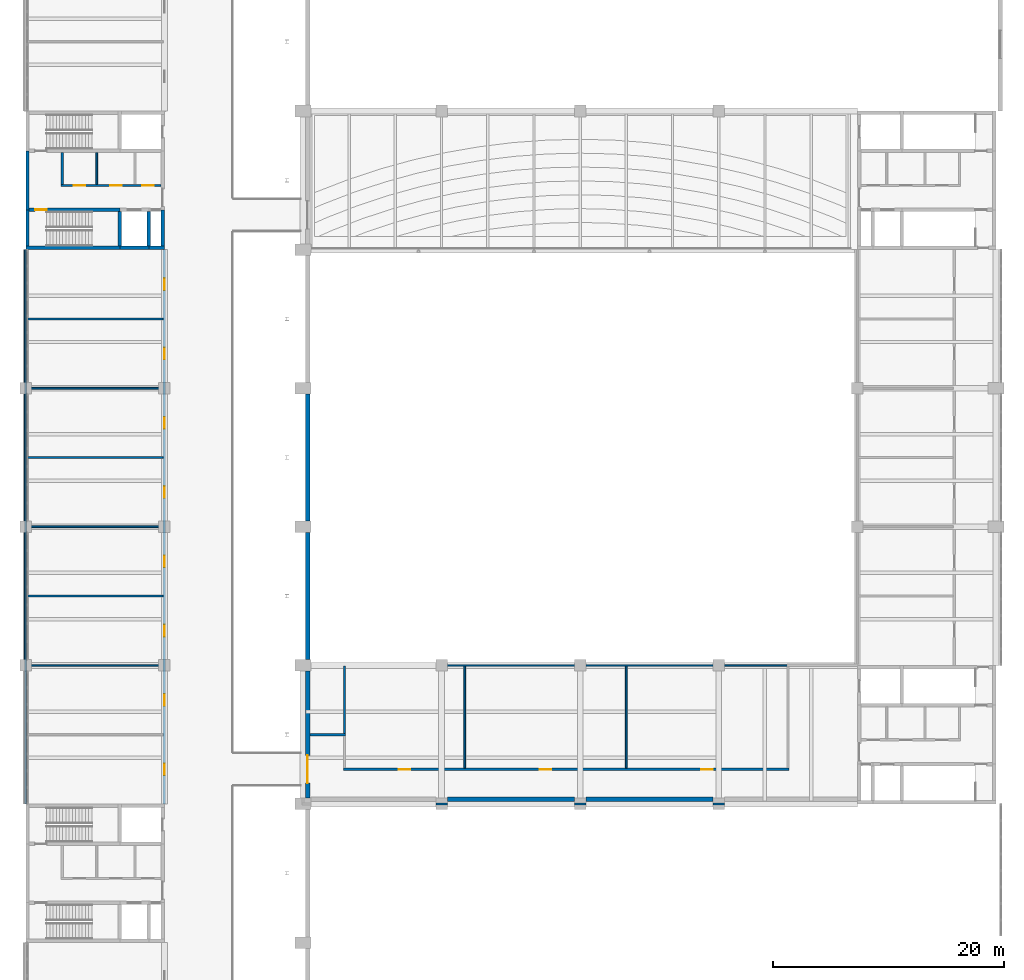
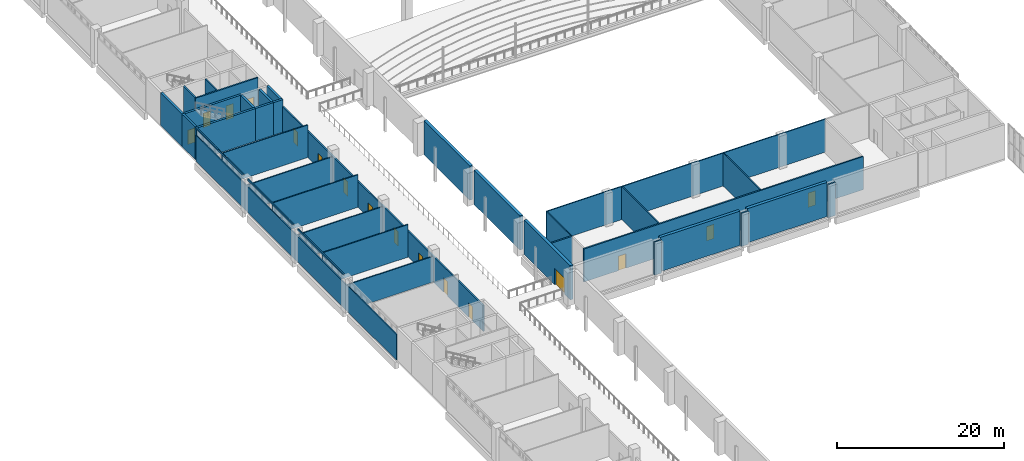
# One storey, part 54 of 69: 37 walls, 16 doors, 16 openings.
"""IFC4 building model written with IfcOpenShell, lengths in metres."""

from ifc_helpers import new_model, si_unit, direction, frame, frame_2d, origin, place, context, subcontext, project, spatial, rectangle, extrude, material, layer, layer_set, type_object, element, fill, save


model = new_model("IFC4")

# Units and contexts
model_context = context("Model", 3, precision=1e-05, world=origin(), true_north=direction((0.0, 1.0)))
body_context = subcontext(model_context, "Body", "Model", "MODEL_VIEW")
ifc_project = project(units=[si_unit("LENGTHUNIT", "METRE"), si_unit("AREAUNIT", "SQUARE_METRE"), si_unit("VOLUMEUNIT", "CUBIC_METRE"), si_unit("PLANEANGLEUNIT", "RADIAN"), si_unit("MASSUNIT", "GRAM", prefix="KILO")], contexts=[model_context])

# Site, building, storey
site_placement = place(None, origin())
site = spatial("IfcSite", under=ifc_project, at=site_placement, CompositionType="ELEMENT")
building_placement = place(site_placement, origin())
building = spatial("IfcBuilding", under=site, at=building_placement, Name="Lilac Gate Convention Centre", CompositionType="ELEMENT")
storey_placement = place(building_placement, frame((0.0, 0.0, 12.0)))
storey = spatial("IfcBuildingStorey", under=building, at=storey_placement, Name="L02", CompositionType="ELEMENT", Elevation=12.0)

# Wall, opening, door
ifc_material_1 = material(Name="Concrete C30", Category="concrete")
ifc_layer_1 = layer(ifc_material_1, 0.39990234375)
ifc_layer_set_1 = layer_set([ifc_layer_1], Name="Concrete C30")
wall_type_1 = type_object("IfcWallType", Name="Hall fire wall 400", PredefinedType="SOLIDWALL", material=ifc_layer_set_1)
wall_1_placement = place(storey_placement, frame((30.39990234375, 102.5, 0.0), z_axis=(0.0, 0.0, 1.0), x_axis=(0.0, 1.0, 0.0)))
wall_1 = element("IfcWall", 1, at=wall_1_placement, inside=storey, type_object=wall_type_1, Name="Fire wall galleria FW L02 7", PredefinedType="SOLIDWALL", context=body_context, shape_type="SweptSolid", body=[
    extrude(rectangle(XDim=11.0, YDim=0.39990234375, at=frame_2d((5.5, 0.0))), origin(), (0.0, 0.0, 1.0), 5.0),
])
opening_1_placement = place(wall_1_placement, frame((1.300048828125, 0.0, 0.0)))
opening_1 = element("IfcOpeningElement", 2, at=opening_1_placement, cuts=wall_1, Name="Opening L02-026", PredefinedType="OPENING", context=body_context, shape_type="SweptSolid", body=[
    extrude(rectangle(XDim=2.39990234375, YDim=2.39990234375, at=frame_2d((1.199951171875, 1.199951171875))), frame((0.0, 0.2099609375, 0.0), z_axis=(0.0, -1.0, 0.0), x_axis=(1.0, 0.0, 0.0)), (0.0, 0.0, 1.0), 0.419921875),
])
ifc_material_2 = material(Name="Steel Q235B", Category="steel")
door_type_1 = type_object("IfcDoorType", Name="Door 2400 x 2400 double leaf FD90", OperationType="DOUBLE_DOOR_SINGLE_SWING", PredefinedType="DOOR", material=ifc_material_2)
door_1_placement = place(opening_1_placement, origin())
door_1 = element("IfcDoor", 3, at=door_1_placement, inside=storey, type_object=door_type_1, Name="Service spine door L02-026", OperationType="DOUBLE_DOOR_SINGLE_SWING", OverallHeight=2.39990234375, OverallWidth=2.39990234375, PredefinedType="DOOR", context=body_context, shape_type="SweptSolid", body=[
    extrude(rectangle(XDim=2.39990234375, YDim=2.39990234375, at=frame_2d((1.199951171875, 1.199951171875))), frame((0.0, 0.02490234375, 0.0), z_axis=(0.0, -1.0, 0.0), x_axis=(1.0, 0.0, 0.0)), (0.0, 0.0, 1.0), 0.050048828125),
])
fill(opening_1, door_1)

# Walls
for number, where, z_axis, x_axis, name in (
    (4, (30.39990234375, 114.5, 0.0), (0.0, 0.0, 1.0), (0.0, 1.0, 0.0), "Fire wall galleria FW L02 8"),
    (5, (30.39990234375, 126.5, 0.0), (0.0, 0.0, 1.0), (0.0, 1.0, 0.0), "Fire wall galleria FW L02 9"),
    (6, (42.5, 102.39990234375, 0.0), (0.0, 0.0, 1.0), (1.0, 0.0, 0.0), "Fire wall exhibition hall HN L02 2"),
    (7, (54.5, 102.39990234375, 0.0), (0.0, 0.0, 1.0), (1.0, 0.0, 0.0), "Fire wall exhibition hall HN L02 3"),
):
    element("IfcWall", number, at=place(storey_placement, frame(where, z_axis=z_axis, x_axis=x_axis)), inside=storey, type_object=wall_type_1, Name=name, PredefinedType="SOLIDWALL", context=body_context, shape_type="SweptSolid", body=[
        extrude(rectangle(XDim=11.0, YDim=0.39990234375, at=frame_2d((5.5, 0.0))), origin(), (0.0, 0.0, 1.0), 5.0),
    ])
ifc_material_3 = material(Name="Fire-rated gypsum board on steel stud", Category="steel")
ifc_layer_2 = layer(ifc_material_3, 0.14990234375)
ifc_layer_set_2 = layer_set([ifc_layer_2], Name="Fire-rated gypsum board on steel stud")
wall_type_2 = type_object("IfcWallType", Name="Partition 150 fire-rated gypsum board EI 60", PredefinedType="PARTITIONING", material=ifc_layer_set_2)
wall_2_placement = place(storey_placement, frame((6.074951171875, 114.0, 0.0), z_axis=(0.0, 0.0, 1.0), x_axis=(1.0, 0.0, 0.0)))
element("IfcWall", 8, at=wall_2_placement, inside=storey, type_object=wall_type_2, Name="Partition 150 fire-rated gypsum board EI 60", PredefinedType="PARTITIONING", context=body_context, shape_type="SweptSolid", body=[
    extrude(rectangle(XDim=11.824951171875, YDim=0.14990234375, at=frame_2d((5.91259765625, 0.0))), origin(), (0.0, 0.0, 1.0), 3.75),
])
wall_3_placement = place(storey_placement, frame((33.52490234375, 114.0, 0.0), z_axis=(0.0, 0.0, 1.0), x_axis=(1.0, 0.0, 0.0)))
element("IfcWall", 9, at=wall_3_placement, inside=storey, type_object=wall_type_2, Name="Partition 150 fire-rated gypsum board EI 60", PredefinedType="PARTITIONING", context=body_context, shape_type="SweptSolid", body=[
    extrude(rectangle(XDim=38.5751953125, YDim=0.14990234375, at=frame_2d((19.28759765625, 0.0))), origin(), (0.0, 0.0, 1.0), 4.824951171875),
])
wall_4_placement = place(storey_placement, frame((6.074951171875, 120.0, 0.0), z_axis=(0.0, 0.0, 1.0), x_axis=(1.0, 0.0, 0.0)))
element("IfcWall", 10, at=wall_4_placement, inside=storey, type_object=wall_type_2, Name="Partition 150 fire-rated gypsum board EI 60", PredefinedType="PARTITIONING", context=body_context, shape_type="SweptSolid", body=[
    extrude(rectangle(XDim=11.824951171875, YDim=0.14990234375, at=frame_2d((5.91259765625, 0.0))), origin(), (0.0, 0.0, 1.0), 4.75),
])
wall_5_placement = place(storey_placement, frame((6.074951171875, 126.0, 0.0), z_axis=(0.0, 0.0, 1.0), x_axis=(1.0, 0.0, 0.0)))
element("IfcWall", 11, at=wall_5_placement, inside=storey, type_object=wall_type_2, Name="Partition 150 fire-rated gypsum board EI 60", PredefinedType="PARTITIONING", context=body_context, shape_type="SweptSolid", body=[
    extrude(rectangle(XDim=11.824951171875, YDim=0.14990234375, at=frame_2d((5.91259765625, 0.0))), origin(), (0.0, 0.0, 1.0), 3.75),
])
wall_6_placement = place(storey_placement, frame((6.074951171875, 132.0, 0.0), z_axis=(0.0, 0.0, 1.0), x_axis=(1.0, 0.0, 0.0)))
element("IfcWall", 12, at=wall_6_placement, inside=storey, type_object=wall_type_2, Name="Partition 150 fire-rated gypsum board EI 60", PredefinedType="PARTITIONING", context=body_context, shape_type="SweptSolid", body=[
    extrude(rectangle(XDim=11.824951171875, YDim=0.14990234375, at=frame_2d((5.91259765625, 0.0))), origin(), (0.0, 0.0, 1.0), 4.75),
])
wall_7_placement = place(storey_placement, frame((6.074951171875, 138.0, 0.0), z_axis=(0.0, 0.0, 1.0), x_axis=(1.0, 0.0, 0.0)))
element("IfcWall", 13, at=wall_7_placement, inside=storey, type_object=wall_type_2, Name="Partition 150 fire-rated gypsum board EI 60", PredefinedType="PARTITIONING", context=body_context, shape_type="SweptSolid", body=[
    extrude(rectangle(XDim=11.824951171875, YDim=0.14990234375, at=frame_2d((5.91259765625, 0.0))), origin(), (0.0, 0.0, 1.0), 3.75),
])
wall_8_placement = place(storey_placement, frame((6.074951171875, 144.0, 0.0), z_axis=(0.0, 0.0, 1.0), x_axis=(1.0, 0.0, 0.0)))
element("IfcWall", 14, at=wall_8_placement, inside=storey, type_object=wall_type_2, Name="Partition 150 fire-rated gypsum board EI 60", PredefinedType="PARTITIONING", context=body_context, shape_type="SweptSolid", body=[
    extrude(rectangle(XDim=11.824951171875, YDim=0.14990234375, at=frame_2d((5.91259765625, 0.0))), origin(), (0.0, 0.0, 1.0), 4.75),
])
wall_9_placement = place(storey_placement, frame((6.0, 102.0, 0.0), z_axis=(0.0, 0.0, 1.0), x_axis=(0.0, 1.0, 0.0)))
element("IfcWall", 15, at=wall_9_placement, inside=storey, type_object=wall_type_2, Name="Partition 150 fire-rated gypsum board EI 60", PredefinedType="PARTITIONING", context=body_context, shape_type="SweptSolid", body=[
    extrude(rectangle(XDim=48.0, YDim=0.14990234375, at=frame_2d((24.0, 0.0))), origin(), (0.0, 0.0, 1.0), 3.75),
])
wall_10_placement = place(storey_placement, frame((12.14990234375, 155.64990234375, 0.0), z_axis=(0.0, 0.0, 1.0), x_axis=(0.0, 1.0, 0.0)))
element("IfcWall", 16, at=wall_10_placement, inside=storey, type_object=wall_type_2, Name="Partition 150 fire-rated gypsum board EI 60", PredefinedType="PARTITIONING", context=body_context, shape_type="SweptSolid", body=[
    extrude(rectangle(XDim=2.75, YDim=0.14990234375, at=frame_2d((1.375, 0.0))), origin(), (0.0, 0.0, 1.0), 4.75),
])
wall_11_placement = place(storey_placement, frame((33.60009765625, 108.10009765625, 0.0), z_axis=(0.0, 0.0, 1.0), x_axis=(0.0, 1.0, 0.0)))
element("IfcWall", 17, at=wall_11_placement, inside=storey, type_object=wall_type_2, Name="Partition 150 fire-rated gypsum board EI 60", PredefinedType="PARTITIONING", context=body_context, shape_type="SweptSolid", body=[
    extrude(rectangle(XDim=5.824951171875, YDim=0.14990234375, at=frame_2d((2.91259765625, 0.0))), origin(), (0.0, 0.0, 1.0), 4.824951171875),
])
for number, where, z_axis, x_axis, name in (
    (18, (44.0, 105.10009765625, 0.0), (0.0, 0.0, 1.0), (0.0, 1.0, 0.0), "Partition 150 fire-rated gypsum board EI 60"),
    (19, (58.0, 105.10009765625, 0.0), (0.0, 0.0, 1.0), (0.0, 1.0, 0.0), "Partition 150 fire-rated gypsum board EI 60"),
):
    element("IfcWall", number, at=place(storey_placement, frame(where, z_axis=z_axis, x_axis=x_axis)), inside=storey, type_object=wall_type_2, Name=name, PredefinedType="PARTITIONING", context=body_context, shape_type="SweptSolid", body=[
        extrude(rectangle(XDim=8.824951171875, YDim=0.14990234375, at=frame_2d((4.41259765625, 0.0))), origin(), (0.0, 0.0, 1.0), 4.824951171875),
    ])
ifc_material_4 = material(Name="Clay brick masonry", Category="masonry")
ifc_layer_3 = layer(ifc_material_4, 0.199951171875)
ifc_layer_set_3 = layer_set([ifc_layer_3], Name="Clay brick masonry")
wall_type_3 = type_object("IfcWallType", Name="Partition 200 brick EI 60", PredefinedType="PARTITIONING", material=ifc_layer_set_3)
for number, where, z_axis, x_axis, name in (
    (20, (41.5, 102.0, 0.0), (0.0, 0.0, 1.0), (1.0, 0.0, 0.0), "Partition 200 brick EI 60"),
    (21, (53.5, 102.0, 0.0), (0.0, 0.0, 1.0), (1.0, 0.0, 0.0), "Partition 200 brick EI 60"),
    (22, (65.5, 102.0, 0.0), (0.0, 0.0, 1.0), (1.0, 0.0, 0.0), "Partition 200 brick EI 60"),
):
    element("IfcWall", number, at=place(storey_placement, frame(where, z_axis=z_axis, x_axis=x_axis)), inside=storey, type_object=wall_type_3, Name=name, PredefinedType="PARTITIONING", context=body_context, shape_type="SweptSolid", body=[
        extrude(rectangle(XDim=1.0, YDim=0.199951171875, at=frame_2d((0.5, 0.0))), origin(), (0.0, 0.0, 1.0), 4.824951171875),
    ])

# Wall, openings, doors
wall_12_placement = place(storey_placement, frame((33.5, 105.0, 0.0), z_axis=(0.0, 0.0, 1.0), x_axis=(1.0, 0.0, 0.0)))
wall_12 = element("IfcWall", 23, at=wall_12_placement, inside=storey, type_object=wall_type_3, Name="Partition 200 brick EI 60", PredefinedType="PARTITIONING", context=body_context, shape_type="SweptSolid", body=[
    extrude(rectangle(XDim=38.60009765625, YDim=0.199951171875, at=frame_2d((19.300048828125, 0.0))), origin(), (0.0, 0.0, 1.0), 4.824951171875),
])
opening_2_placement = place(wall_12_placement, frame((4.800048828125, 0.0, 0.0)))
opening_2 = element("IfcOpeningElement", 24, at=opening_2_placement, cuts=wall_12, Name="Opening L02-027", PredefinedType="OPENING", context=body_context, shape_type="SweptSolid", body=[
    extrude(rectangle(XDim=1.0, YDim=2.10009765625, at=frame_2d((0.5, 1.050048828125))), frame((0.0, 0.10986328125, 0.0), z_axis=(0.0, -1.0, 0.0), x_axis=(1.0, 0.0, 0.0)), (0.0, 0.0, 1.0), 0.219970703125),
])
opening_3_placement = place(wall_12_placement, frame((17.0, 0.0, 0.0)))
opening_3 = element("IfcOpeningElement", 25, at=opening_3_placement, cuts=wall_12, Name="Opening L02-028", PredefinedType="OPENING", context=body_context, shape_type="SweptSolid", body=[
    extrude(rectangle(XDim=1.0, YDim=2.10009765625, at=frame_2d((0.5, 1.050048828125))), frame((0.0, 0.10986328125, 0.0), z_axis=(0.0, -1.0, 0.0), x_axis=(1.0, 0.0, 0.0)), (0.0, 0.0, 1.0), 0.219970703125),
])
opening_4_placement = place(wall_12_placement, frame((31.0, 0.0, 0.0)))
opening_4 = element("IfcOpeningElement", 26, at=opening_4_placement, cuts=wall_12, Name="Opening L02-029", PredefinedType="OPENING", context=body_context, shape_type="SweptSolid", body=[
    extrude(rectangle(XDim=1.0, YDim=2.10009765625, at=frame_2d((0.5, 1.050048828125))), frame((0.0, 0.10986328125, 0.0), z_axis=(0.0, -1.0, 0.0), x_axis=(1.0, 0.0, 0.0)), (0.0, 0.0, 1.0), 0.219970703125),
])
ifc_material_5 = material(Name="Timber fire door leaf", Category="wood")
door_type_2 = type_object("IfcDoorType", Name="Door 1000 x 2100 single leaf FD30", OperationType="SINGLE_SWING_LEFT", PredefinedType="DOOR", material=ifc_material_5)
door_2_placement = place(opening_2_placement, origin())
door_2 = element("IfcDoor", 27, at=door_2_placement, inside=storey, type_object=door_type_2, Name="Office door L02-027", OperationType="SINGLE_SWING_RIGHT", OverallHeight=2.10009765625, OverallWidth=1.0, PredefinedType="DOOR", context=body_context, shape_type="SweptSolid", body=[
    extrude(rectangle(XDim=1.0, YDim=2.10009765625, at=frame_2d((0.5, 1.050048828125))), frame((0.0, 0.02490234375, 0.0), z_axis=(0.0, -1.0, 0.0), x_axis=(1.0, 0.0, 0.0)), (0.0, 0.0, 1.0), 0.050048828125),
])
fill(opening_2, door_2)
door_3_placement = place(opening_3_placement, origin())
door_3 = element("IfcDoor", 28, at=door_3_placement, inside=storey, type_object=door_type_2, Name="Office door L02-028", OperationType="SINGLE_SWING_RIGHT", OverallHeight=2.10009765625, OverallWidth=1.0, PredefinedType="DOOR", context=body_context, shape_type="SweptSolid", body=[
    extrude(rectangle(XDim=1.0, YDim=2.10009765625, at=frame_2d((0.5, 1.050048828125))), frame((0.0, 0.02490234375, 0.0), z_axis=(0.0, -1.0, 0.0), x_axis=(1.0, 0.0, 0.0)), (0.0, 0.0, 1.0), 0.050048828125),
])
fill(opening_3, door_3)
door_4_placement = place(opening_4_placement, origin())
door_4 = element("IfcDoor", 29, at=door_4_placement, inside=storey, type_object=door_type_2, Name="Office door L02-029", OperationType="SINGLE_SWING_RIGHT", OverallHeight=2.10009765625, OverallWidth=1.0, PredefinedType="DOOR", context=body_context, shape_type="SweptSolid", body=[
    extrude(rectangle(XDim=1.0, YDim=2.10009765625, at=frame_2d((0.5, 1.050048828125))), frame((0.0, 0.02490234375, 0.0), z_axis=(0.0, -1.0, 0.0), x_axis=(1.0, 0.0, 0.0)), (0.0, 0.0, 1.0), 0.050048828125),
])
fill(opening_4, door_4)

# Wall
wall_13_placement = place(storey_placement, frame((30.599853515625, 108.0, 0.0), z_axis=(0.0, 0.0, 1.0), x_axis=(1.0, 0.0, 0.0)))
element("IfcWall", 30, at=wall_13_placement, inside=storey, type_object=wall_type_3, Name="Partition 200 brick EI 60", PredefinedType="PARTITIONING", context=body_context, shape_type="SweptSolid", body=[
    extrude(rectangle(XDim=3.0751953125, YDim=0.199951171875, at=frame_2d((1.53759765625, 0.0))), origin(), (0.0, 0.0, 1.0), 4.824951171875),
])

# Wall, openings, doors
wall_14_placement = place(storey_placement, frame((9.050048828125, 155.550048828125, 0.0), z_axis=(0.0, 0.0, 1.0), x_axis=(1.0, 0.0, 0.0)))
wall_14 = element("IfcWall", 31, at=wall_14_placement, inside=storey, type_object=wall_type_3, Name="Partition 200 brick EI 60", PredefinedType="PARTITIONING", context=body_context, shape_type="SweptSolid", body=[
    extrude(rectangle(XDim=8.64990234375, YDim=0.199951171875, at=frame_2d((4.324951171875, 0.0))), origin(), (0.0, 0.0, 1.0), 4.75),
])
opening_5_placement = place(wall_14_placement, frame((1.10009765625, 0.0, 0.0)))
opening_5 = element("IfcOpeningElement", 32, at=opening_5_placement, cuts=wall_14, Name="Opening L02-060", PredefinedType="OPENING", context=body_context, shape_type="SweptSolid", body=[
    extrude(rectangle(XDim=1.0, YDim=2.10009765625, at=frame_2d((0.5, 1.050048828125))), frame((0.0, 0.10986328125, 0.0), z_axis=(0.0, -1.0, 0.0), x_axis=(1.0, 0.0, 0.0)), (0.0, 0.0, 1.0), 0.219970703125),
])
opening_6_placement = place(wall_14_placement, frame((4.25, 0.0, 0.0)))
opening_6 = element("IfcOpeningElement", 33, at=opening_6_placement, cuts=wall_14, Name="Opening L02-061", PredefinedType="OPENING", context=body_context, shape_type="SweptSolid", body=[
    extrude(rectangle(XDim=1.0, YDim=2.10009765625, at=frame_2d((0.5, 1.050048828125))), frame((0.0, 0.10986328125, 0.0), z_axis=(0.0, -1.0, 0.0), x_axis=(1.0, 0.0, 0.0)), (0.0, 0.0, 1.0), 0.219970703125),
])
opening_7_placement = place(wall_14_placement, frame((7.050048828125, 0.0, 0.0)))
opening_7 = element("IfcOpeningElement", 34, at=opening_7_placement, cuts=wall_14, Name="Opening L02-062", PredefinedType="OPENING", context=body_context, shape_type="SweptSolid", body=[
    extrude(rectangle(XDim=1.0, YDim=2.10009765625, at=frame_2d((0.5, 1.050048828125))), frame((0.0, 0.10986328125, 0.0), z_axis=(0.0, -1.0, 0.0), x_axis=(1.0, 0.0, 0.0)), (0.0, 0.0, 1.0), 0.219970703125),
])
door_5_placement = place(opening_5_placement, origin())
door_5 = element("IfcDoor", 35, at=door_5_placement, inside=storey, type_object=door_type_2, Name="WC door L02-060", OperationType="SINGLE_SWING_RIGHT", OverallHeight=2.10009765625, OverallWidth=1.0, PredefinedType="DOOR", context=body_context, shape_type="SweptSolid", body=[
    extrude(rectangle(XDim=1.0, YDim=2.10009765625, at=frame_2d((0.5, 1.050048828125))), frame((0.0, 0.02490234375, 0.0), z_axis=(0.0, -1.0, 0.0), x_axis=(1.0, 0.0, 0.0)), (0.0, 0.0, 1.0), 0.050048828125),
])
fill(opening_5, door_5)
door_6_placement = place(opening_6_placement, origin())
door_6 = element("IfcDoor", 36, at=door_6_placement, inside=storey, type_object=door_type_2, Name="WC door L02-061", OperationType="SINGLE_SWING_LEFT", OverallHeight=2.10009765625, OverallWidth=1.0, PredefinedType="DOOR", context=body_context, shape_type="SweptSolid", body=[
    extrude(rectangle(XDim=1.0, YDim=2.10009765625, at=frame_2d((0.5, 1.050048828125))), frame((0.0, 0.02490234375, 0.0), z_axis=(0.0, -1.0, 0.0), x_axis=(1.0, 0.0, 0.0)), (0.0, 0.0, 1.0), 0.050048828125),
])
fill(opening_6, door_6)
door_7_placement = place(opening_7_placement, origin())
door_7 = element("IfcDoor", 37, at=door_7_placement, inside=storey, type_object=door_type_2, Name="Accessible WC door L02-062", OperationType="SINGLE_SWING_LEFT", OverallHeight=2.10009765625, OverallWidth=1.0, PredefinedType="DOOR", context=body_context, shape_type="SweptSolid", body=[
    extrude(rectangle(XDim=1.0, YDim=2.10009765625, at=frame_2d((0.5, 1.050048828125))), frame((0.0, 0.02490234375, 0.0), z_axis=(0.0, -1.0, 0.0), x_axis=(1.0, 0.0, 0.0)), (0.0, 0.0, 1.0), 0.050048828125),
])
fill(opening_7, door_7)

# Wall
wall_15_placement = place(storey_placement, frame((9.14990234375, 155.64990234375, 0.0), z_axis=(0.0, 0.0, 1.0), x_axis=(0.0, 1.0, 0.0)))
element("IfcWall", 38, at=wall_15_placement, inside=storey, type_object=wall_type_3, Name="Partition 200 brick EI 60", PredefinedType="PARTITIONING", context=body_context, shape_type="SweptSolid", body=[
    extrude(rectangle(XDim=2.75, YDim=0.199951171875, at=frame_2d((1.375, 0.0))), origin(), (0.0, 0.0, 1.0), 4.75),
])

# Wall, openings, doors
wall_16_placement = place(storey_placement, frame((18.0, 102.0, 0.0), z_axis=(0.0, 0.0, 1.0), x_axis=(0.0, 1.0, 0.0)))
wall_16 = element("IfcWall", 39, at=wall_16_placement, inside=storey, type_object=wall_type_3, Name="Partition 200 brick EI 60", PredefinedType="PARTITIONING", context=body_context, shape_type="SweptSolid", body=[
    extrude(rectangle(XDim=48.0, YDim=0.199951171875, at=frame_2d((24.0, 0.0))), origin(), (0.0, 0.0, 1.0), 3.75),
])
opening_8_placement = place(wall_16_placement, frame((2.5, 0.0, 0.0)))
opening_8 = element("IfcOpeningElement", 40, at=opening_8_placement, cuts=wall_16, Name="Opening L02-025", PredefinedType="OPENING", context=body_context, shape_type="SweptSolid", body=[
    extrude(rectangle(XDim=1.0, YDim=2.10009765625, at=frame_2d((0.5, 1.050048828125))), frame((0.0, 0.10986328125, 0.0), z_axis=(0.0, -1.0, 0.0), x_axis=(1.0, 0.0, 0.0)), (0.0, 0.0, 1.0), 0.219970703125),
])
opening_9_placement = place(wall_16_placement, frame((8.5, 0.0, 0.0)))
opening_9 = element("IfcOpeningElement", 41, at=opening_9_placement, cuts=wall_16, Name="Opening L02-037", PredefinedType="OPENING", context=body_context, shape_type="SweptSolid", body=[
    extrude(rectangle(XDim=1.0, YDim=2.10009765625, at=frame_2d((0.5, 1.050048828125))), frame((0.0, 0.10986328125, 0.0), z_axis=(0.0, -1.0, 0.0), x_axis=(1.0, 0.0, 0.0)), (0.0, 0.0, 1.0), 0.219970703125),
])
opening_10_placement = place(wall_16_placement, frame((14.5, 0.0, 0.0)))
opening_10 = element("IfcOpeningElement", 42, at=opening_10_placement, cuts=wall_16, Name="Opening L02-040", PredefinedType="OPENING", context=body_context, shape_type="SweptSolid", body=[
    extrude(rectangle(XDim=1.0, YDim=2.10009765625, at=frame_2d((0.5, 1.050048828125))), frame((0.0, 0.10986328125, 0.0), z_axis=(0.0, -1.0, 0.0), x_axis=(1.0, 0.0, 0.0)), (0.0, 0.0, 1.0), 0.219970703125),
])
opening_11_placement = place(wall_16_placement, frame((20.5, 0.0, 0.0)))
opening_11 = element("IfcOpeningElement", 43, at=opening_11_placement, cuts=wall_16, Name="Opening L02-042", PredefinedType="OPENING", context=body_context, shape_type="SweptSolid", body=[
    extrude(rectangle(XDim=1.0, YDim=2.10009765625, at=frame_2d((0.5, 1.050048828125))), frame((0.0, 0.10986328125, 0.0), z_axis=(0.0, -1.0, 0.0), x_axis=(1.0, 0.0, 0.0)), (0.0, 0.0, 1.0), 0.219970703125),
])
opening_12_placement = place(wall_16_placement, frame((26.5, 0.0, 0.0)))
opening_12 = element("IfcOpeningElement", 44, at=opening_12_placement, cuts=wall_16, Name="Opening L02-044", PredefinedType="OPENING", context=body_context, shape_type="SweptSolid", body=[
    extrude(rectangle(XDim=1.0, YDim=2.10009765625, at=frame_2d((0.5, 1.050048828125))), frame((0.0, 0.10986328125, 0.0), z_axis=(0.0, -1.0, 0.0), x_axis=(1.0, 0.0, 0.0)), (0.0, 0.0, 1.0), 0.219970703125),
])
opening_13_placement = place(wall_16_placement, frame((32.5, 0.0, 0.0)))
opening_13 = element("IfcOpeningElement", 45, at=opening_13_placement, cuts=wall_16, Name="Opening L02-046", PredefinedType="OPENING", context=body_context, shape_type="SweptSolid", body=[
    extrude(rectangle(XDim=1.0, YDim=2.10009765625, at=frame_2d((0.5, 1.050048828125))), frame((0.0, 0.10986328125, 0.0), z_axis=(0.0, -1.0, 0.0), x_axis=(1.0, 0.0, 0.0)), (0.0, 0.0, 1.0), 0.219970703125),
])
opening_14_placement = place(wall_16_placement, frame((38.5, 0.0, 0.0)))
opening_14 = element("IfcOpeningElement", 46, at=opening_14_placement, cuts=wall_16, Name="Opening L02-048", PredefinedType="OPENING", context=body_context, shape_type="SweptSolid", body=[
    extrude(rectangle(XDim=1.0, YDim=2.10009765625, at=frame_2d((0.5, 1.050048828125))), frame((0.0, 0.10986328125, 0.0), z_axis=(0.0, -1.0, 0.0), x_axis=(1.0, 0.0, 0.0)), (0.0, 0.0, 1.0), 0.219970703125),
])
opening_15_placement = place(wall_16_placement, frame((44.5, 0.0, 0.0)))
opening_15 = element("IfcOpeningElement", 47, at=opening_15_placement, cuts=wall_16, Name="Opening L02-050", PredefinedType="OPENING", context=body_context, shape_type="SweptSolid", body=[
    extrude(rectangle(XDim=1.0, YDim=2.10009765625, at=frame_2d((0.5, 1.050048828125))), frame((0.0, 0.10986328125, 0.0), z_axis=(0.0, -1.0, 0.0), x_axis=(1.0, 0.0, 0.0)), (0.0, 0.0, 1.0), 0.219970703125),
])
door_8_placement = place(opening_8_placement, origin())
door_8 = element("IfcDoor", 48, at=door_8_placement, inside=storey, type_object=door_type_2, Name="Meeting room door L02-025", OperationType="SINGLE_SWING_RIGHT", OverallHeight=2.10009765625, OverallWidth=1.0, PredefinedType="DOOR", context=body_context, shape_type="SweptSolid", body=[
    extrude(rectangle(XDim=1.0, YDim=2.10009765625, at=frame_2d((0.5, 1.050048828125))), frame((0.0, 0.02490234375, 0.0), z_axis=(0.0, -1.0, 0.0), x_axis=(1.0, 0.0, 0.0)), (0.0, 0.0, 1.0), 0.050048828125),
])
fill(opening_8, door_8)
door_9_placement = place(opening_9_placement, origin())
door_9 = element("IfcDoor", 49, at=door_9_placement, inside=storey, type_object=door_type_2, Name="Meeting room door L02-037", OperationType="SINGLE_SWING_RIGHT", OverallHeight=2.10009765625, OverallWidth=1.0, PredefinedType="DOOR", context=body_context, shape_type="SweptSolid", body=[
    extrude(rectangle(XDim=1.0, YDim=2.10009765625, at=frame_2d((0.5, 1.050048828125))), frame((0.0, 0.02490234375, 0.0), z_axis=(0.0, -1.0, 0.0), x_axis=(1.0, 0.0, 0.0)), (0.0, 0.0, 1.0), 0.050048828125),
])
fill(opening_9, door_9)
door_10_placement = place(opening_10_placement, origin())
door_10 = element("IfcDoor", 50, at=door_10_placement, inside=storey, type_object=door_type_2, Name="Meeting room door L02-040", OperationType="SINGLE_SWING_RIGHT", OverallHeight=2.10009765625, OverallWidth=1.0, PredefinedType="DOOR", context=body_context, shape_type="SweptSolid", body=[
    extrude(rectangle(XDim=1.0, YDim=2.10009765625, at=frame_2d((0.5, 1.050048828125))), frame((0.0, 0.02490234375, 0.0), z_axis=(0.0, -1.0, 0.0), x_axis=(1.0, 0.0, 0.0)), (0.0, 0.0, 1.0), 0.050048828125),
])
fill(opening_10, door_10)
door_11_placement = place(opening_11_placement, origin())
door_11 = element("IfcDoor", 51, at=door_11_placement, inside=storey, type_object=door_type_2, Name="Meeting room door L02-042", OperationType="SINGLE_SWING_RIGHT", OverallHeight=2.10009765625, OverallWidth=1.0, PredefinedType="DOOR", context=body_context, shape_type="SweptSolid", body=[
    extrude(rectangle(XDim=1.0, YDim=2.10009765625, at=frame_2d((0.5, 1.050048828125))), frame((0.0, 0.02490234375, 0.0), z_axis=(0.0, -1.0, 0.0), x_axis=(1.0, 0.0, 0.0)), (0.0, 0.0, 1.0), 0.050048828125),
])
fill(opening_11, door_11)
door_12_placement = place(opening_12_placement, origin())
door_12 = element("IfcDoor", 52, at=door_12_placement, inside=storey, type_object=door_type_2, Name="Meeting room door L02-044", OperationType="SINGLE_SWING_RIGHT", OverallHeight=2.10009765625, OverallWidth=1.0, PredefinedType="DOOR", context=body_context, shape_type="SweptSolid", body=[
    extrude(rectangle(XDim=1.0, YDim=2.10009765625, at=frame_2d((0.5, 1.050048828125))), frame((0.0, 0.02490234375, 0.0), z_axis=(0.0, -1.0, 0.0), x_axis=(1.0, 0.0, 0.0)), (0.0, 0.0, 1.0), 0.050048828125),
])
fill(opening_12, door_12)
door_13_placement = place(opening_13_placement, origin())
door_13 = element("IfcDoor", 53, at=door_13_placement, inside=storey, type_object=door_type_2, Name="Meeting room door L02-046", OperationType="SINGLE_SWING_RIGHT", OverallHeight=2.10009765625, OverallWidth=1.0, PredefinedType="DOOR", context=body_context, shape_type="SweptSolid", body=[
    extrude(rectangle(XDim=1.0, YDim=2.10009765625, at=frame_2d((0.5, 1.050048828125))), frame((0.0, 0.02490234375, 0.0), z_axis=(0.0, -1.0, 0.0), x_axis=(1.0, 0.0, 0.0)), (0.0, 0.0, 1.0), 0.050048828125),
])
fill(opening_13, door_13)
door_14_placement = place(opening_14_placement, origin())
door_14 = element("IfcDoor", 54, at=door_14_placement, inside=storey, type_object=door_type_2, Name="Meeting room door L02-048", OperationType="SINGLE_SWING_RIGHT", OverallHeight=2.10009765625, OverallWidth=1.0, PredefinedType="DOOR", context=body_context, shape_type="SweptSolid", body=[
    extrude(rectangle(XDim=1.0, YDim=2.10009765625, at=frame_2d((0.5, 1.050048828125))), frame((0.0, 0.02490234375, 0.0), z_axis=(0.0, -1.0, 0.0), x_axis=(1.0, 0.0, 0.0)), (0.0, 0.0, 1.0), 0.050048828125),
])
fill(opening_14, door_14)
door_15_placement = place(opening_15_placement, origin())
door_15 = element("IfcDoor", 55, at=door_15_placement, inside=storey, type_object=door_type_2, Name="Meeting room door L02-050", OperationType="SINGLE_SWING_RIGHT", OverallHeight=2.10009765625, OverallWidth=1.0, PredefinedType="DOOR", context=body_context, shape_type="SweptSolid", body=[
    extrude(rectangle(XDim=1.0, YDim=2.10009765625, at=frame_2d((0.5, 1.050048828125))), frame((0.0, 0.02490234375, 0.0), z_axis=(0.0, -1.0, 0.0), x_axis=(1.0, 0.0, 0.0)), (0.0, 0.0, 1.0), 0.050048828125),
])
fill(opening_15, door_15)

# Walls
ifc_material_6 = material(Name="Concrete C40 precast", Category="concrete")
ifc_layer_4 = layer(ifc_material_6, 0.1298828125)
ifc_material_7 = material(Name="Terracotta glazed cladding", Category="masonry")
ifc_layer_5 = layer(ifc_material_7, 0.02001953125)
ifc_layer_set_4 = layer_set([ifc_layer_4, ifc_layer_5], Name="Concrete C40 precast, Terracotta glazed cladding")
wall_type_4 = type_object("IfcWallType", Name="Precast band terracotta 150", PredefinedType="STANDARD", material=ifc_layer_set_4)
wall_17_placement = place(storey_placement, frame((5.925048828125, 150.0, 4.75), z_axis=(0.0, 0.0, 1.0), x_axis=(0.0, -1.0, 0.0)))
element("IfcWall", 56, at=wall_17_placement, inside=storey, type_object=wall_type_4, Name="Precast band PW L02 5", PredefinedType="STANDARD", context=body_context, shape_type="SweptSolid", body=[
    extrude(rectangle(XDim=11.5, YDim=0.14990234375, at=frame_2d((5.75, 0.0))), origin(), (0.0, 0.0, 1.0), 0.25),
])
for number, where, z_axis, x_axis, name in (
    (57, (5.925048828125, 137.5, 4.75), (0.0, 0.0, 1.0), (0.0, -1.0, 0.0), "Precast band PW L02 6"),
    (58, (5.925048828125, 125.5, 4.75), (0.0, 0.0, 1.0), (0.0, -1.0, 0.0), "Precast band PW L02 7"),
):
    element("IfcWall", number, at=place(storey_placement, frame(where, z_axis=z_axis, x_axis=x_axis)), inside=storey, type_object=wall_type_4, Name=name, PredefinedType="STANDARD", context=body_context, shape_type="SweptSolid", body=[
        extrude(rectangle(XDim=11.0, YDim=0.14990234375, at=frame_2d((5.5, 0.0))), origin(), (0.0, 0.0, 1.0), 0.25),
    ])
ifc_material_8 = material(Name="Concrete C40", Category="concrete")
ifc_layer_6 = layer(ifc_material_8, 0.300048828125)
ifc_layer_set_5 = layer_set([ifc_layer_6], Name="Concrete C40")
wall_type_5 = type_object("IfcWallType", Name="Shear wall 300 C40", PredefinedType="SHEAR", material=ifc_layer_set_5)
wall_18_placement = place(storey_placement, frame((6.0, 150.14990234375, 0.0), z_axis=(0.0, 0.0, 1.0), x_axis=(1.0, 0.0, 0.0)))
element("IfcWall", 59, at=wall_18_placement, inside=storey, type_object=wall_type_5, Name="SW1 shear wall W3 L02 1", PredefinedType="SHEAR", context=body_context, shape_type="SweptSolid", body=[
    extrude(rectangle(XDim=8.14990234375, YDim=0.300048828125, at=frame_2d((4.074951171875, 0.0))), origin(), (0.0, 0.0, 1.0), 4.75),
])
wall_19_placement = place(storey_placement, frame((14.14990234375, 150.14990234375, 0.0), z_axis=(0.0, 0.0, 1.0), x_axis=(1.0, 0.0, 0.0)))
element("IfcWall", 60, at=wall_19_placement, inside=storey, type_object=wall_type_5, Name="SW1 shear wall W3 L02 2", PredefinedType="SHEAR", context=body_context, shape_type="SweptSolid", body=[
    extrude(rectangle(XDim=2.5, YDim=0.300048828125, at=frame_2d((1.25, 0.0))), origin(), (0.0, 0.0, 1.0), 4.75),
])
wall_20_placement = place(storey_placement, frame((16.64990234375, 150.14990234375, 0.0), z_axis=(0.0, 0.0, 1.0), x_axis=(1.0, 0.0, 0.0)))
element("IfcWall", 61, at=wall_20_placement, inside=storey, type_object=wall_type_5, Name="SW1 shear wall W3 L02 3", PredefinedType="SHEAR", context=body_context, shape_type="SweptSolid", body=[
    extrude(rectangle(XDim=1.35009765625, YDim=0.300048828125, at=frame_2d((0.675048828125, 0.0))), origin(), (0.0, 0.0, 1.0), 4.75),
])

# Wall, opening, door
wall_21_placement = place(storey_placement, frame((6.300048828125, 153.449951171875, 0.0), z_axis=(0.0, 0.0, 1.0), x_axis=(1.0, 0.0, 0.0)))
wall_21 = element("IfcWall", 62, at=wall_21_placement, inside=storey, type_object=wall_type_5, Name="SW1 shear wall W3 L02 6", PredefinedType="SHEAR", context=body_context, shape_type="SweptSolid", body=[
    extrude(rectangle(XDim=7.849853515625, YDim=0.300048828125, at=frame_2d((3.9248046875, 0.0))), origin(), (0.0, 0.0, 1.0), 4.75),
])
opening_16_placement = place(wall_21_placement, frame((0.5, 0.0, 0.0)))
opening_16 = element("IfcOpeningElement", 63, at=opening_16_placement, cuts=wall_21, Name="Opening L02-054", PredefinedType="OPENING", context=body_context, shape_type="SweptSolid", body=[
    extrude(rectangle(XDim=1.0, YDim=2.10009765625, at=frame_2d((0.5, 1.050048828125))), frame((0.0, 0.159912109375, 0.0), z_axis=(0.0, -1.0, 0.0), x_axis=(1.0, 0.0, 0.0)), (0.0, 0.0, 1.0), 0.320068359375),
])
door_type_3 = type_object("IfcDoorType", Name="Door 1000 x 2100 single leaf FD60", OperationType="SINGLE_SWING_LEFT", PredefinedType="DOOR", material=ifc_material_5)
door_16_placement = place(opening_16_placement, frame((1.0, 0.0, 0.0), z_axis=(0.0, 0.0, 1.0), x_axis=(-1.0, 0.0, 0.0)))
door_16 = element("IfcDoor", 64, at=door_16_placement, inside=storey, type_object=door_type_3, Name="Stair door L02-054", OperationType="SINGLE_SWING_LEFT", OverallHeight=2.10009765625, OverallWidth=1.0, PredefinedType="DOOR", context=body_context, shape_type="SweptSolid", body=[
    extrude(rectangle(XDim=1.0, YDim=2.10009765625, at=frame_2d((0.5, 1.050048828125))), frame((0.0, 0.02490234375, 0.0), z_axis=(0.0, -1.0, 0.0), x_axis=(1.0, 0.0, 0.0)), (0.0, 0.0, 1.0), 0.050048828125),
])
fill(opening_16, door_16)

# Walls
wall_22_placement = place(storey_placement, frame((6.14990234375, 150.300048828125, 0.0), z_axis=(0.0, 0.0, 1.0), x_axis=(0.0, 1.0, 0.0)))
element("IfcWall", 65, at=wall_22_placement, inside=storey, type_object=wall_type_5, Name="SW1 shear wall W3 L02 11", PredefinedType="SHEAR", context=body_context, shape_type="SweptSolid", body=[
    extrude(rectangle(XDim=3.14990234375, YDim=0.300048828125, at=frame_2d((1.574951171875, 0.0))), origin(), (0.0, 0.0, 1.0), 4.75),
])
wall_23_placement = place(storey_placement, frame((6.14990234375, 153.449951171875, 0.0), z_axis=(0.0, 0.0, 1.0), x_axis=(0.0, 1.0, 0.0)))
element("IfcWall", 66, at=wall_23_placement, inside=storey, type_object=wall_type_5, Name="SW1 shear wall W3 L02 12", PredefinedType="SHEAR", context=body_context, shape_type="SweptSolid", body=[
    extrude(rectangle(XDim=5.10009765625, YDim=0.300048828125, at=frame_2d((2.550048828125, 0.0))), origin(), (0.0, 0.0, 1.0), 4.75),
])
wall_24_placement = place(storey_placement, frame((17.85009765625, 150.300048828125, 0.0), z_axis=(0.0, 0.0, 1.0), x_axis=(0.0, 1.0, 0.0)))
element("IfcWall", 67, at=wall_24_placement, inside=storey, type_object=wall_type_5, Name="SW1 shear wall W3 L02 14", PredefinedType="SHEAR", context=body_context, shape_type="SweptSolid", body=[
    extrude(rectangle(XDim=3.14990234375, YDim=0.300048828125, at=frame_2d((1.574951171875, 0.0))), origin(), (0.0, 0.0, 1.0), 4.75),
])
for number, where, z_axis, x_axis, name in (
    (68, (14.14990234375, 150.300048828125, 0.0), (0.0, 0.0, 1.0), (0.0, 1.0, 0.0), "SW1 shear wall W3 L02 17"),
    (69, (16.64990234375, 150.300048828125, 0.0), (0.0, 0.0, 1.0), (0.0, 1.0, 0.0), "SW1 shear wall W3 L02 19"),
):
    element("IfcWall", number, at=place(storey_placement, frame(where, z_axis=z_axis, x_axis=x_axis)), inside=storey, type_object=wall_type_5, Name=name, PredefinedType="SHEAR", context=body_context, shape_type="SweptSolid", body=[
        extrude(rectangle(XDim=3.0, YDim=0.300048828125, at=frame_2d((1.5, 0.0))), origin(), (0.0, 0.0, 1.0), 4.75),
    ])

save(model, "model.ifc")
